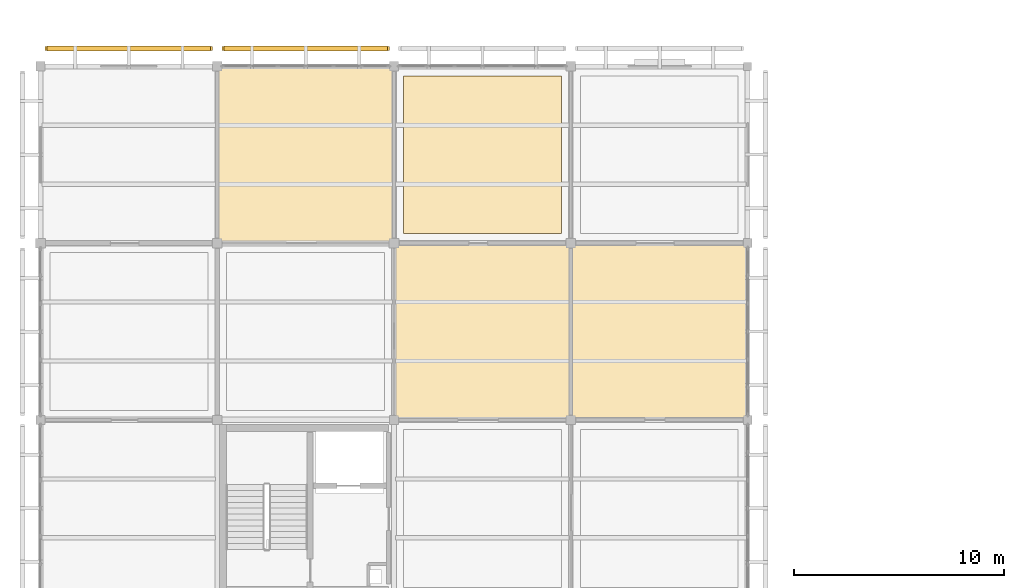
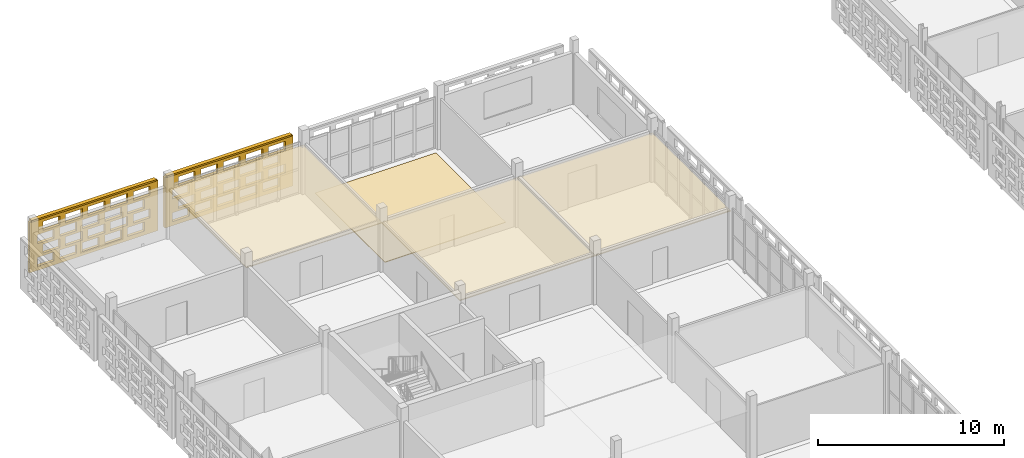
# One storey, part 113 of 140: 6 coverings, 2 shading devices, 40 openings.
"""IFC4 building model written with IfcOpenShell, lengths in metres."""

import ifcopenshell
import ifcopenshell.guid

model = None  # the IFC model being written
_history = None  # IfcOwnerHistory: only IFC2X3 demands one
_inside = {}  # id of a spatial element -> (the spatial element, [elements in it])
_under = {}  # id of a project, library or spatial element -> (it, [spatial elements below it])
_declared = {}  # id of a project -> (the project, [libraries it declares])
_typed = {}  # id of a type object -> (the type object, [elements of that type])
_made_of = {}  # id of a material, layer set ... -> (it, [elements and type objects made of it])


def new_model(schema):
    """Start an empty IFC model of exactly this schema.

    Asked for "IFC4X3", IfcOpenShell would pick the latest addendum, in which some entities
    have other attributes; the version numbers below select the first issue.
    IFC2X3 requires an IfcOwnerHistory on every rooted entity: one is made here for all.
    """
    global model, _history
    if schema == "IFC4X3":
        model = ifcopenshell.file(schema_version=(4, 3, 0, 0))
    else:
        model = ifcopenshell.file(schema=schema)
    _inside.clear()
    _under.clear()
    _declared.clear()
    _typed.clear()
    _made_of.clear()
    _history = None
    if model.schema == "IFC2X3":
        org = make("IfcOrganization", Name="unknown")
        user = make(
            "IfcPersonAndOrganization",
            ThePerson=make("IfcPerson", FamilyName="unknown"),
            TheOrganization=org,
        )
        app = make(
            "IfcApplication",
            ApplicationDeveloper=org,
            Version="unknown",
            ApplicationFullName="unknown",
            ApplicationIdentifier="unknown",
        )
        _history = make(
            "IfcOwnerHistory",
            OwningUser=user,
            OwningApplication=app,
            ChangeAction="ADDED",
            CreationDate=0,
        )
    return model


def make(cls, **values):
    """One entity of the class cls with the attributes given. An attribute that is None is left unset."""
    return model.create_entity(
        cls, **{name: value for name, value in values.items() if value is not None}
    )


def rooted(cls, **values):
    """An entity with a GlobalId (a new one), such as an element, a storey or a relation."""
    return make(cls, GlobalId=ifcopenshell.guid.new(), OwnerHistory=_history, **values)


def si_unit(unit_type, name, prefix=None):
    """IfcSIUnit, for example si_unit("LENGTHUNIT", "METRE", prefix="MILLI")."""
    return make("IfcSIUnit", UnitType=unit_type, Prefix=prefix, Name=name)


def assignment(units):
    """IfcUnitAssignment: the units of a project."""
    return None if units is None else make("IfcUnitAssignment", Units=units)


def point(xyz):
    """IfcCartesianPoint."""
    return None if xyz is None else make("IfcCartesianPoint", Coordinates=xyz)


def direction(xyz):
    """IfcDirection."""
    return None if xyz is None else make("IfcDirection", DirectionRatios=xyz)


def frame(location, z_axis=None, x_axis=None):
    """IfcAxis2Placement3D, a coordinate frame: its origin and axes. An axis left out is left unset."""
    return make(
        "IfcAxis2Placement3D",
        Location=point(location),
        Axis=direction(z_axis),
        RefDirection=direction(x_axis),
    )


def frame_2d(location, x_axis=None):
    """IfcAxis2Placement2D, a coordinate frame in the plane: its origin and x axis."""
    return make(
        "IfcAxis2Placement2D", Location=point(location), RefDirection=direction(x_axis)
    )


def origin():
    """The frame at (0, 0, 0) with its axes left unset."""
    return frame((0.0, 0.0, 0.0))


def origin_2d():
    """The frame at (0, 0) in the plane with its x axis left unset."""
    return frame_2d((0.0, 0.0))


def place(relative_to, where):
    """IfcLocalPlacement: puts the frame where relative to a parent placement (None: the world)."""
    return make(
        "IfcLocalPlacement", PlacementRelTo=relative_to, RelativePlacement=where
    )


def context(
    kind, dimensions, precision=None, world=None, true_north=None, identifier=None
):
    """IfcGeometricRepresentationContext, for example the 3D "Model" context."""
    return make(
        "IfcGeometricRepresentationContext",
        ContextIdentifier=identifier,
        ContextType=kind,
        CoordinateSpaceDimension=dimensions,
        Precision=precision,
        WorldCoordinateSystem=world,
        TrueNorth=true_north,
    )


def subcontext(parent, identifier, kind, view, scale=None):
    """IfcGeometricRepresentationSubContext, for example "Body" below "Model"."""
    return make(
        "IfcGeometricRepresentationSubContext",
        ContextIdentifier=identifier,
        ContextType=kind,
        ParentContext=parent,
        TargetScale=scale,
        TargetView=view,
    )


def project(units=None, contexts=None):
    """IfcProject with its units and contexts."""
    return rooted(
        "IfcProject",
        Name="project",
        RepresentationContexts=contexts,
        UnitsInContext=assignment(units),
    )


def spatial(cls, under=None, at=None, **own):
    """A site, building, storey or space (cls), placed at a placement, below another one or the project."""
    s = rooted(cls, ObjectPlacement=at, **own)
    if under is not None:
        _under.setdefault(under.id(), (under, []))[1].append(s)
    return s


def profile(cls, at=None, kind="AREA", **sizes):
    """A parametric profile (cls). Its sizes go by their IFC names, for example OverallWidth=200.0."""
    return make(cls, ProfileType=kind, Position=at, **sizes)


def rectangle(**sizes):
    """IfcRectangleProfileDef."""
    return profile("IfcRectangleProfileDef", **sizes)


def extrude(swept, where, along, depth):
    """IfcExtrudedAreaSolid: the profile swept, set in the frame where, extruded along a direction by depth."""
    return make(
        "IfcExtrudedAreaSolid",
        SweptArea=swept,
        Position=where,
        ExtrudedDirection=direction(along),
        Depth=depth,
    )


def shape(context_of_items, identifier, shape_type, items):
    """IfcShapeRepresentation: the items that make up one representation, for example the "Body"."""
    return make(
        "IfcShapeRepresentation",
        ContextOfItems=context_of_items,
        RepresentationIdentifier=identifier,
        RepresentationType=shape_type,
        Items=items,
    )


def material(Name=None, Category=None):
    """IfcMaterial."""
    return make("IfcMaterial", Name=Name, Category=Category)


def layer(
    of_material, thickness, ventilated=None, Name=None, Category=None, Priority=None
):
    """IfcMaterialLayer: one layer of a wall or slab, of a material (None: an air gap)."""
    return make(
        "IfcMaterialLayer",
        Material=of_material,
        LayerThickness=thickness,
        IsVentilated=ventilated,
        Name=Name,
        Category=Category,
        Priority=Priority,
    )


def layer_set(layers, Name=None):
    """IfcMaterialLayerSet."""
    return make("IfcMaterialLayerSet", MaterialLayers=layers, LayerSetName=Name)


def made_of(thing, what):
    """Note that an element or type object is made of a material, layer set ...; save() writes the relation."""
    if what is not None:
        _made_of.setdefault(what.id(), (what, []))[1].append(thing)
    return thing


def type_object(cls, material=None, **own):
    """A type object (cls), such as IfcWallType, which elements share."""
    return made_of(rooted(cls, **own), material)


def element(
    cls,
    number,
    at=None,
    inside=None,
    cuts=None,
    type_object=None,
    material=None,
    context=None,
    identifier="Body",
    shape_type=None,
    held_by="IfcProductDefinitionShape",
    body=None,
    shapes=None,
    **own,
):
    """One element of the class cls, such as IfcWall. Its Tag is "e" and its number.

    at: its placement. inside: the storey or other place that contains it. cuts: it is an
    opening in that element (IfcRelVoidsElement). A single representation is given by context,
    identifier, shape_type and body (its items); several are given by shapes. held_by: the class
    of the entity that holds the representations. save() writes the other relations.
    """
    e = rooted(cls, Tag="e%d" % number, ObjectPlacement=at, **own)
    if body is not None:
        shapes = [shape(context, identifier, shape_type, body)]
    if shapes is not None:
        e.Representation = make(held_by, Representations=shapes)
    if inside is not None:
        _inside.setdefault(inside.id(), (inside, []))[1].append(e)
    if cuts is not None:
        rooted(
            "IfcRelVoidsElement", RelatingBuildingElement=cuts, RelatedOpeningElement=e
        )
    if type_object is not None:
        _typed.setdefault(type_object.id(), (type_object, []))[1].append(e)
    return made_of(e, material)


def aggregate(whole, parts):
    """IfcRelAggregates: a whole, such as a stair, and the parts it consists of."""
    return rooted("IfcRelAggregates", RelatingObject=whole, RelatedObjects=parts)


def save(model, path):
    """Write the relations noted so far, then the file.

    IfcRelAggregates (storeys below a building ...), IfcRelContainedInSpatialStructure (elements
    in a storey), IfcRelDefinesByType, IfcRelAssociatesMaterial and IfcRelDeclares: one each for
    every whole, place, type object, material and project.
    """
    for whole, parts in _under.values():
        aggregate(whole, parts)
    for where, things in _inside.values():
        rooted(
            "IfcRelContainedInSpatialStructure",
            RelatedElements=things,
            RelatingStructure=where,
        )
    for kind, things in _typed.values():
        rooted("IfcRelDefinesByType", RelatedObjects=things, RelatingType=kind)
    for what, things in _made_of.values():
        rooted("IfcRelAssociatesMaterial", RelatedObjects=things, RelatingMaterial=what)
    for by, libraries in _declared.values():
        rooted("IfcRelDeclares", RelatingContext=by, RelatedDefinitions=libraries)
    model.write(path)


model = new_model("IFC4")

# Units and contexts
model_context = context("Model", 3, precision=1e-05, world=origin(), true_north=direction((0.0, 1.0)))
body_context = subcontext(model_context, "Body", "Model", "MODEL_VIEW")
ifc_project = project(units=[si_unit("LENGTHUNIT", "METRE"), si_unit("AREAUNIT", "SQUARE_METRE"), si_unit("VOLUMEUNIT", "CUBIC_METRE"), si_unit("PLANEANGLEUNIT", "RADIAN"), si_unit("MASSUNIT", "GRAM", prefix="KILO")], contexts=[model_context])

# Site, building, storey
site_placement = place(None, origin())
site = spatial("IfcSite", under=ifc_project, at=site_placement, CompositionType="ELEMENT")
building_placement = place(site_placement, origin())
building = spatial("IfcBuilding", under=site, at=building_placement, Name="Varnapada Polytechnic", CompositionType="ELEMENT")
storey_placement = place(building_placement, frame((0.0, 0.0, 13.800048828125)))
storey = spatial("IfcBuildingStorey", under=building, at=storey_placement, Name="L03", CompositionType="ELEMENT", Elevation=13.800048828125)

# Coverings
ifc_material_1 = material(Name="Acoustic Rubber Seminar Flooring")
ifc_layer_1 = layer(ifc_material_1, 0.0400390625)
ifc_layer_set_1 = layer_set([ifc_layer_1], Name="Acoustic Rubber Seminar Flooring")
covering_type_1 = type_object("IfcCoveringType", Name="Floor Finish FLR-06", PredefinedType="FLOORING", material=ifc_layer_set_1)
covering_1_placement = place(storey_placement, frame((21.0, 121.800048828125, 0.0), z_axis=(0.0, 0.0, 1.0), x_axis=(1.0, 0.0, 0.0)))
element("IfcCovering", 1, at=covering_1_placement, inside=storey, type_object=covering_type_1, Name="L03 floor finish panel (3,15)", PredefinedType="FLOORING", context=body_context, shape_type="SweptSolid", body=[
    extrude(rectangle(XDim=7.5, YDim=7.5, at=origin_2d()), origin(), (0.0, 0.0, 1.0), 0.0400390625),
])
ifc_material_2 = material(Name="Perforated Timber Slatted Baffle Ceiling", Category="wood")
ifc_layer_2 = layer(ifc_material_2, 0.050048828125)
ifc_layer_set_2 = layer_set([ifc_layer_2], Name="Perforated Timber Slatted Baffle Ceiling")
covering_type_2 = type_object("IfcCoveringType", Name="Suspended Ceiling CLG-02", PredefinedType="CEILING", material=ifc_layer_set_2)
covering_2_placement = place(storey_placement, frame((12.60009765625, 121.800048828125, 3.02490234375), z_axis=(0.0, 0.0, 1.0), x_axis=(1.0, 0.0, 0.0)))
element("IfcCovering", 2, at=covering_2_placement, inside=storey, type_object=covering_type_2, Name="L03 suspended acoustic ceiling (2,15)", PredefinedType="CEILING", context=body_context, shape_type="SweptSolid", body=[
    extrude(rectangle(XDim=8.419921875, YDim=8.419921875, at=origin_2d()), origin(), (0.0, 0.0, 1.0), 0.050048828125),
])
ifc_material_3 = material(Name="Deep Acoustic Auditorium Cloud Baffle")
ifc_layer_3 = layer(ifc_material_3, 0.06494140625)
ifc_layer_set_3 = layer_set([ifc_layer_3], Name="Deep Acoustic Auditorium Cloud Baffle")
covering_type_3 = type_object("IfcCoveringType", Name="Suspended Ceiling CLG-07", PredefinedType="CEILING", material=ifc_layer_set_3)
for number, where, z_axis, x_axis, name in (
    (3, (21.0, 113.39990234375, 3.017578125), (0.0, 0.0, 1.0), (1.0, 0.0, 0.0), "L03 suspended acoustic ceiling (3,14)"),
    (4, (29.39990234375, 113.39990234375, 3.017578125), (0.0, 0.0, 1.0), (1.0, 0.0, 0.0), "L03 suspended acoustic ceiling (4,14)"),
):
    element("IfcCovering", number, at=place(storey_placement, frame(where, z_axis=z_axis, x_axis=x_axis)), inside=storey, type_object=covering_type_3, Name=name, PredefinedType="CEILING", context=body_context, shape_type="SweptSolid", body=[
        extrude(rectangle(XDim=8.419921875, YDim=8.419921875, at=origin_2d()), origin(), (0.0, 0.0, 1.0), 0.06494140625),
    ])

# Covering, openings
ifc_material_4 = material(Name="Earth-toned architectural terracotta screen block", Category="masonry")
ifc_layer_4 = layer(ifc_material_4, 0.1201171875)
ifc_layer_set_4 = layer_set([ifc_layer_4], Name="Earth-toned architectural terracotta screen block")
covering_type_4 = type_object("IfcCoveringType", Name="Terracotta Screen Cladding CLD-01", PredefinedType="CLADDING", material=ifc_layer_set_4)
covering_3_placement = place(storey_placement, frame((0.219970703125, 126.85009765625, 0.0), z_axis=(0.0, 0.0, 1.0), x_axis=(1.0, 0.0, 0.0)))
covering_3 = element("IfcCovering", 5, at=covering_3_placement, inside=storey, type_object=covering_type_4, Name="L03 perforated terracotta block screen (11)", PredefinedType="CLADDING", context=body_context, shape_type="SweptSolid", body=[
    extrude(rectangle(XDim=7.9599609375, YDim=0.179931640625, at=frame_2d((3.97998046875, 0.0))), origin(), (0.0, 0.0, 1.0), 3.320068359375),
])
opening_1_placement = place(covering_3_placement, frame((0.47998046875, 0.0, 0.265625)))
element("IfcOpeningElement", 6, at=opening_1_placement, cuts=covering_3, Name="Screen perforation TBS-L03-010.1", PredefinedType="OPENING", context=body_context, shape_type="SweptSolid", body=[
    extrude(rectangle(XDim=1.0400390625, YDim=0.5810546875, at=frame_2d((0.52001953125, 0.29052734375))), frame((0.0, 0.099853515625, 0.0), z_axis=(0.0, -1.0, 0.0), x_axis=(1.0, 0.0, 0.0)), (0.0, 0.0, 1.0), 0.199951171875),
])
opening_2_placement = place(covering_3_placement, frame((1.8798828125, 0.0, 0.265625)))
element("IfcOpeningElement", 7, at=opening_2_placement, cuts=covering_3, Name="Screen perforation TBS-L03-010.2", PredefinedType="OPENING", context=body_context, shape_type="SweptSolid", body=[
    extrude(rectangle(XDim=1.0400390625, YDim=0.5810546875, at=frame_2d((0.52001953125, 0.29052734375))), frame((0.0, 0.099853515625, 0.0), z_axis=(0.0, -1.0, 0.0), x_axis=(1.0, 0.0, 0.0)), (0.0, 0.0, 1.0), 0.199951171875),
])
opening_3_placement = place(covering_3_placement, frame((3.280029296875, 0.0, 0.265625)))
element("IfcOpeningElement", 8, at=opening_3_placement, cuts=covering_3, Name="Screen perforation TBS-L03-010.3", PredefinedType="OPENING", context=body_context, shape_type="SweptSolid", body=[
    extrude(rectangle(XDim=1.0400390625, YDim=0.5810546875, at=frame_2d((0.52001953125, 0.29052734375))), frame((0.0, 0.099853515625, 0.0), z_axis=(0.0, -1.0, 0.0), x_axis=(1.0, 0.0, 0.0)), (0.0, 0.0, 1.0), 0.199951171875),
])
opening_4_placement = place(covering_3_placement, frame((4.679931640625, 0.0, 0.265625)))
element("IfcOpeningElement", 9, at=opening_4_placement, cuts=covering_3, Name="Screen perforation TBS-L03-010.4", PredefinedType="OPENING", context=body_context, shape_type="SweptSolid", body=[
    extrude(rectangle(XDim=1.0400390625, YDim=0.5810546875, at=frame_2d((0.52001953125, 0.29052734375))), frame((0.0, 0.099853515625, 0.0), z_axis=(0.0, -1.0, 0.0), x_axis=(1.0, 0.0, 0.0)), (0.0, 0.0, 1.0), 0.199951171875),
])
opening_5_placement = place(covering_3_placement, frame((6.080078125, 0.0, 0.265625)))
element("IfcOpeningElement", 10, at=opening_5_placement, cuts=covering_3, Name="Screen perforation TBS-L03-010.5", PredefinedType="OPENING", context=body_context, shape_type="SweptSolid", body=[
    extrude(rectangle(XDim=1.0400390625, YDim=0.5810546875, at=frame_2d((0.52001953125, 0.29052734375))), frame((0.0, 0.099853515625, 0.0), z_axis=(0.0, -1.0, 0.0), x_axis=(1.0, 0.0, 0.0)), (0.0, 0.0, 1.0), 0.199951171875),
])
opening_6_placement = place(covering_3_placement, frame((0.840087890625, 0.0, 1.0126953125)))
element("IfcOpeningElement", 11, at=opening_6_placement, cuts=covering_3, Name="Screen perforation TBS-L03-010.6", PredefinedType="OPENING", context=body_context, shape_type="SweptSolid", body=[
    extrude(rectangle(XDim=1.0400390625, YDim=0.5810546875, at=frame_2d((0.52001953125, 0.29052734375))), frame((0.0, 0.099853515625, 0.0), z_axis=(0.0, -1.0, 0.0), x_axis=(1.0, 0.0, 0.0)), (0.0, 0.0, 1.0), 0.199951171875),
])
opening_7_placement = place(covering_3_placement, frame((2.239990234375, 0.0, 1.0126953125)))
element("IfcOpeningElement", 12, at=opening_7_placement, cuts=covering_3, Name="Screen perforation TBS-L03-010.7", PredefinedType="OPENING", context=body_context, shape_type="SweptSolid", body=[
    extrude(rectangle(XDim=1.0400390625, YDim=0.5810546875, at=frame_2d((0.52001953125, 0.29052734375))), frame((0.0, 0.099853515625, 0.0), z_axis=(0.0, -1.0, 0.0), x_axis=(1.0, 0.0, 0.0)), (0.0, 0.0, 1.0), 0.199951171875),
])
opening_8_placement = place(covering_3_placement, frame((3.639892578125, 0.0, 1.0126953125)))
element("IfcOpeningElement", 13, at=opening_8_placement, cuts=covering_3, Name="Screen perforation TBS-L03-010.8", PredefinedType="OPENING", context=body_context, shape_type="SweptSolid", body=[
    extrude(rectangle(XDim=1.0400390625, YDim=0.5810546875, at=frame_2d((0.52001953125, 0.29052734375))), frame((0.0, 0.099853515625, 0.0), z_axis=(0.0, -1.0, 0.0), x_axis=(1.0, 0.0, 0.0)), (0.0, 0.0, 1.0), 0.199951171875),
])
opening_9_placement = place(covering_3_placement, frame((5.0400390625, 0.0, 1.0126953125)))
element("IfcOpeningElement", 14, at=opening_9_placement, cuts=covering_3, Name="Screen perforation TBS-L03-010.9", PredefinedType="OPENING", context=body_context, shape_type="SweptSolid", body=[
    extrude(rectangle(XDim=1.0400390625, YDim=0.5810546875, at=frame_2d((0.52001953125, 0.29052734375))), frame((0.0, 0.099853515625, 0.0), z_axis=(0.0, -1.0, 0.0), x_axis=(1.0, 0.0, 0.0)), (0.0, 0.0, 1.0), 0.199951171875),
])
opening_10_placement = place(covering_3_placement, frame((6.43994140625, 0.0, 1.0126953125)))
element("IfcOpeningElement", 15, at=opening_10_placement, cuts=covering_3, Name="Screen perforation TBS-L03-010.10", PredefinedType="OPENING", context=body_context, shape_type="SweptSolid", body=[
    extrude(rectangle(XDim=1.0400390625, YDim=0.5810546875, at=frame_2d((0.52001953125, 0.29052734375))), frame((0.0, 0.099853515625, 0.0), z_axis=(0.0, -1.0, 0.0), x_axis=(1.0, 0.0, 0.0)), (0.0, 0.0, 1.0), 0.199951171875),
])
opening_11_placement = place(covering_3_placement, frame((0.47998046875, 0.0, 1.759521484375)))
element("IfcOpeningElement", 16, at=opening_11_placement, cuts=covering_3, Name="Screen perforation TBS-L03-010.11", PredefinedType="OPENING", context=body_context, shape_type="SweptSolid", body=[
    extrude(rectangle(XDim=1.0400390625, YDim=0.5810546875, at=frame_2d((0.52001953125, 0.29052734375))), frame((0.0, 0.099853515625, 0.0), z_axis=(0.0, -1.0, 0.0), x_axis=(1.0, 0.0, 0.0)), (0.0, 0.0, 1.0), 0.199951171875),
])
opening_12_placement = place(covering_3_placement, frame((1.8798828125, 0.0, 1.759521484375)))
element("IfcOpeningElement", 17, at=opening_12_placement, cuts=covering_3, Name="Screen perforation TBS-L03-010.12", PredefinedType="OPENING", context=body_context, shape_type="SweptSolid", body=[
    extrude(rectangle(XDim=1.0400390625, YDim=0.5810546875, at=frame_2d((0.52001953125, 0.29052734375))), frame((0.0, 0.099853515625, 0.0), z_axis=(0.0, -1.0, 0.0), x_axis=(1.0, 0.0, 0.0)), (0.0, 0.0, 1.0), 0.199951171875),
])
opening_13_placement = place(covering_3_placement, frame((3.280029296875, 0.0, 1.759521484375)))
element("IfcOpeningElement", 18, at=opening_13_placement, cuts=covering_3, Name="Screen perforation TBS-L03-010.13", PredefinedType="OPENING", context=body_context, shape_type="SweptSolid", body=[
    extrude(rectangle(XDim=1.0400390625, YDim=0.5810546875, at=frame_2d((0.52001953125, 0.29052734375))), frame((0.0, 0.099853515625, 0.0), z_axis=(0.0, -1.0, 0.0), x_axis=(1.0, 0.0, 0.0)), (0.0, 0.0, 1.0), 0.199951171875),
])
opening_14_placement = place(covering_3_placement, frame((4.679931640625, 0.0, 1.759521484375)))
element("IfcOpeningElement", 19, at=opening_14_placement, cuts=covering_3, Name="Screen perforation TBS-L03-010.14", PredefinedType="OPENING", context=body_context, shape_type="SweptSolid", body=[
    extrude(rectangle(XDim=1.0400390625, YDim=0.5810546875, at=frame_2d((0.52001953125, 0.29052734375))), frame((0.0, 0.099853515625, 0.0), z_axis=(0.0, -1.0, 0.0), x_axis=(1.0, 0.0, 0.0)), (0.0, 0.0, 1.0), 0.199951171875),
])
opening_15_placement = place(covering_3_placement, frame((6.080078125, 0.0, 1.759521484375)))
element("IfcOpeningElement", 20, at=opening_15_placement, cuts=covering_3, Name="Screen perforation TBS-L03-010.15", PredefinedType="OPENING", context=body_context, shape_type="SweptSolid", body=[
    extrude(rectangle(XDim=1.0400390625, YDim=0.5810546875, at=frame_2d((0.52001953125, 0.29052734375))), frame((0.0, 0.099853515625, 0.0), z_axis=(0.0, -1.0, 0.0), x_axis=(1.0, 0.0, 0.0)), (0.0, 0.0, 1.0), 0.199951171875),
])
opening_16_placement = place(covering_3_placement, frame((0.840087890625, 0.0, 2.506591796875)))
element("IfcOpeningElement", 21, at=opening_16_placement, cuts=covering_3, Name="Screen perforation TBS-L03-010.16", PredefinedType="OPENING", context=body_context, shape_type="SweptSolid", body=[
    extrude(rectangle(XDim=1.0400390625, YDim=0.5810546875, at=frame_2d((0.52001953125, 0.29052734375))), frame((0.0, 0.099853515625, 0.0), z_axis=(0.0, -1.0, 0.0), x_axis=(1.0, 0.0, 0.0)), (0.0, 0.0, 1.0), 0.199951171875),
])
opening_17_placement = place(covering_3_placement, frame((2.239990234375, 0.0, 2.506591796875)))
element("IfcOpeningElement", 22, at=opening_17_placement, cuts=covering_3, Name="Screen perforation TBS-L03-010.17", PredefinedType="OPENING", context=body_context, shape_type="SweptSolid", body=[
    extrude(rectangle(XDim=1.0400390625, YDim=0.5810546875, at=frame_2d((0.52001953125, 0.29052734375))), frame((0.0, 0.099853515625, 0.0), z_axis=(0.0, -1.0, 0.0), x_axis=(1.0, 0.0, 0.0)), (0.0, 0.0, 1.0), 0.199951171875),
])
opening_18_placement = place(covering_3_placement, frame((3.639892578125, 0.0, 2.506591796875)))
element("IfcOpeningElement", 23, at=opening_18_placement, cuts=covering_3, Name="Screen perforation TBS-L03-010.18", PredefinedType="OPENING", context=body_context, shape_type="SweptSolid", body=[
    extrude(rectangle(XDim=1.0400390625, YDim=0.5810546875, at=frame_2d((0.52001953125, 0.29052734375))), frame((0.0, 0.099853515625, 0.0), z_axis=(0.0, -1.0, 0.0), x_axis=(1.0, 0.0, 0.0)), (0.0, 0.0, 1.0), 0.199951171875),
])
opening_19_placement = place(covering_3_placement, frame((5.0400390625, 0.0, 2.506591796875)))
element("IfcOpeningElement", 24, at=opening_19_placement, cuts=covering_3, Name="Screen perforation TBS-L03-010.19", PredefinedType="OPENING", context=body_context, shape_type="SweptSolid", body=[
    extrude(rectangle(XDim=1.0400390625, YDim=0.5810546875, at=frame_2d((0.52001953125, 0.29052734375))), frame((0.0, 0.099853515625, 0.0), z_axis=(0.0, -1.0, 0.0), x_axis=(1.0, 0.0, 0.0)), (0.0, 0.0, 1.0), 0.199951171875),
])
opening_20_placement = place(covering_3_placement, frame((6.43994140625, 0.0, 2.506591796875)))
element("IfcOpeningElement", 25, at=opening_20_placement, cuts=covering_3, Name="Screen perforation TBS-L03-010.20", PredefinedType="OPENING", context=body_context, shape_type="SweptSolid", body=[
    extrude(rectangle(XDim=1.0400390625, YDim=0.5810546875, at=frame_2d((0.52001953125, 0.29052734375))), frame((0.0, 0.099853515625, 0.0), z_axis=(0.0, -1.0, 0.0), x_axis=(1.0, 0.0, 0.0)), (0.0, 0.0, 1.0), 0.199951171875),
])

covering_4_placement = place(storey_placement, frame((8.6201171875, 126.85009765625, 0.0), z_axis=(0.0, 0.0, 1.0), x_axis=(1.0, 0.0, 0.0)))
covering_4 = element("IfcCovering", 26, at=covering_4_placement, inside=storey, type_object=covering_type_4, Name="L03 perforated terracotta block screen (18)", PredefinedType="CLADDING", context=body_context, shape_type="SweptSolid", body=[
    extrude(rectangle(XDim=7.9599609375, YDim=0.179931640625, at=frame_2d((3.97998046875, 0.0))), origin(), (0.0, 0.0, 1.0), 3.320068359375),
])
opening_21_placement = place(covering_4_placement, frame((0.47998046875, 0.0, 0.265625)))
element("IfcOpeningElement", 27, at=opening_21_placement, cuts=covering_4, Name="Screen perforation TBS-L03-017.1", PredefinedType="OPENING", context=body_context, shape_type="SweptSolid", body=[
    extrude(rectangle(XDim=1.0400390625, YDim=0.5810546875, at=frame_2d((0.52001953125, 0.29052734375))), frame((0.0, 0.099853515625, 0.0), z_axis=(0.0, -1.0, 0.0), x_axis=(1.0, 0.0, 0.0)), (0.0, 0.0, 1.0), 0.199951171875),
])
opening_22_placement = place(covering_4_placement, frame((1.8798828125, 0.0, 0.265625)))
element("IfcOpeningElement", 28, at=opening_22_placement, cuts=covering_4, Name="Screen perforation TBS-L03-017.2", PredefinedType="OPENING", context=body_context, shape_type="SweptSolid", body=[
    extrude(rectangle(XDim=1.0400390625, YDim=0.5810546875, at=frame_2d((0.52001953125, 0.29052734375))), frame((0.0, 0.099853515625, 0.0), z_axis=(0.0, -1.0, 0.0), x_axis=(1.0, 0.0, 0.0)), (0.0, 0.0, 1.0), 0.199951171875),
])
opening_23_placement = place(covering_4_placement, frame((3.280029296875, 0.0, 0.265625)))
element("IfcOpeningElement", 29, at=opening_23_placement, cuts=covering_4, Name="Screen perforation TBS-L03-017.3", PredefinedType="OPENING", context=body_context, shape_type="SweptSolid", body=[
    extrude(rectangle(XDim=1.0400390625, YDim=0.5810546875, at=frame_2d((0.52001953125, 0.29052734375))), frame((0.0, 0.099853515625, 0.0), z_axis=(0.0, -1.0, 0.0), x_axis=(1.0, 0.0, 0.0)), (0.0, 0.0, 1.0), 0.199951171875),
])
opening_24_placement = place(covering_4_placement, frame((4.679931640625, 0.0, 0.265625)))
element("IfcOpeningElement", 30, at=opening_24_placement, cuts=covering_4, Name="Screen perforation TBS-L03-017.4", PredefinedType="OPENING", context=body_context, shape_type="SweptSolid", body=[
    extrude(rectangle(XDim=1.0400390625, YDim=0.5810546875, at=frame_2d((0.52001953125, 0.29052734375))), frame((0.0, 0.099853515625, 0.0), z_axis=(0.0, -1.0, 0.0), x_axis=(1.0, 0.0, 0.0)), (0.0, 0.0, 1.0), 0.199951171875),
])
opening_25_placement = place(covering_4_placement, frame((6.080078125, 0.0, 0.265625)))
element("IfcOpeningElement", 31, at=opening_25_placement, cuts=covering_4, Name="Screen perforation TBS-L03-017.5", PredefinedType="OPENING", context=body_context, shape_type="SweptSolid", body=[
    extrude(rectangle(XDim=1.0400390625, YDim=0.5810546875, at=frame_2d((0.52001953125, 0.29052734375))), frame((0.0, 0.099853515625, 0.0), z_axis=(0.0, -1.0, 0.0), x_axis=(1.0, 0.0, 0.0)), (0.0, 0.0, 1.0), 0.199951171875),
])
opening_26_placement = place(covering_4_placement, frame((0.840087890625, 0.0, 1.0126953125)))
element("IfcOpeningElement", 32, at=opening_26_placement, cuts=covering_4, Name="Screen perforation TBS-L03-017.6", PredefinedType="OPENING", context=body_context, shape_type="SweptSolid", body=[
    extrude(rectangle(XDim=1.0400390625, YDim=0.5810546875, at=frame_2d((0.52001953125, 0.29052734375))), frame((0.0, 0.099853515625, 0.0), z_axis=(0.0, -1.0, 0.0), x_axis=(1.0, 0.0, 0.0)), (0.0, 0.0, 1.0), 0.199951171875),
])
opening_27_placement = place(covering_4_placement, frame((2.239990234375, 0.0, 1.0126953125)))
element("IfcOpeningElement", 33, at=opening_27_placement, cuts=covering_4, Name="Screen perforation TBS-L03-017.7", PredefinedType="OPENING", context=body_context, shape_type="SweptSolid", body=[
    extrude(rectangle(XDim=1.0400390625, YDim=0.5810546875, at=frame_2d((0.52001953125, 0.29052734375))), frame((0.0, 0.099853515625, 0.0), z_axis=(0.0, -1.0, 0.0), x_axis=(1.0, 0.0, 0.0)), (0.0, 0.0, 1.0), 0.199951171875),
])
opening_28_placement = place(covering_4_placement, frame((3.639892578125, 0.0, 1.0126953125)))
element("IfcOpeningElement", 34, at=opening_28_placement, cuts=covering_4, Name="Screen perforation TBS-L03-017.8", PredefinedType="OPENING", context=body_context, shape_type="SweptSolid", body=[
    extrude(rectangle(XDim=1.0400390625, YDim=0.5810546875, at=frame_2d((0.52001953125, 0.29052734375))), frame((0.0, 0.099853515625, 0.0), z_axis=(0.0, -1.0, 0.0), x_axis=(1.0, 0.0, 0.0)), (0.0, 0.0, 1.0), 0.199951171875),
])
opening_29_placement = place(covering_4_placement, frame((5.0400390625, 0.0, 1.0126953125)))
element("IfcOpeningElement", 35, at=opening_29_placement, cuts=covering_4, Name="Screen perforation TBS-L03-017.9", PredefinedType="OPENING", context=body_context, shape_type="SweptSolid", body=[
    extrude(rectangle(XDim=1.0400390625, YDim=0.5810546875, at=frame_2d((0.52001953125, 0.29052734375))), frame((0.0, 0.099853515625, 0.0), z_axis=(0.0, -1.0, 0.0), x_axis=(1.0, 0.0, 0.0)), (0.0, 0.0, 1.0), 0.199951171875),
])
opening_30_placement = place(covering_4_placement, frame((6.43994140625, 0.0, 1.0126953125)))
element("IfcOpeningElement", 36, at=opening_30_placement, cuts=covering_4, Name="Screen perforation TBS-L03-017.10", PredefinedType="OPENING", context=body_context, shape_type="SweptSolid", body=[
    extrude(rectangle(XDim=1.0400390625, YDim=0.5810546875, at=frame_2d((0.52001953125, 0.29052734375))), frame((0.0, 0.099853515625, 0.0), z_axis=(0.0, -1.0, 0.0), x_axis=(1.0, 0.0, 0.0)), (0.0, 0.0, 1.0), 0.199951171875),
])
opening_31_placement = place(covering_4_placement, frame((0.47998046875, 0.0, 1.759521484375)))
element("IfcOpeningElement", 37, at=opening_31_placement, cuts=covering_4, Name="Screen perforation TBS-L03-017.11", PredefinedType="OPENING", context=body_context, shape_type="SweptSolid", body=[
    extrude(rectangle(XDim=1.0400390625, YDim=0.5810546875, at=frame_2d((0.52001953125, 0.29052734375))), frame((0.0, 0.099853515625, 0.0), z_axis=(0.0, -1.0, 0.0), x_axis=(1.0, 0.0, 0.0)), (0.0, 0.0, 1.0), 0.199951171875),
])
opening_32_placement = place(covering_4_placement, frame((1.8798828125, 0.0, 1.759521484375)))
element("IfcOpeningElement", 38, at=opening_32_placement, cuts=covering_4, Name="Screen perforation TBS-L03-017.12", PredefinedType="OPENING", context=body_context, shape_type="SweptSolid", body=[
    extrude(rectangle(XDim=1.0400390625, YDim=0.5810546875, at=frame_2d((0.52001953125, 0.29052734375))), frame((0.0, 0.099853515625, 0.0), z_axis=(0.0, -1.0, 0.0), x_axis=(1.0, 0.0, 0.0)), (0.0, 0.0, 1.0), 0.199951171875),
])
opening_33_placement = place(covering_4_placement, frame((3.280029296875, 0.0, 1.759521484375)))
element("IfcOpeningElement", 39, at=opening_33_placement, cuts=covering_4, Name="Screen perforation TBS-L03-017.13", PredefinedType="OPENING", context=body_context, shape_type="SweptSolid", body=[
    extrude(rectangle(XDim=1.0400390625, YDim=0.5810546875, at=frame_2d((0.52001953125, 0.29052734375))), frame((0.0, 0.099853515625, 0.0), z_axis=(0.0, -1.0, 0.0), x_axis=(1.0, 0.0, 0.0)), (0.0, 0.0, 1.0), 0.199951171875),
])
opening_34_placement = place(covering_4_placement, frame((4.679931640625, 0.0, 1.759521484375)))
element("IfcOpeningElement", 40, at=opening_34_placement, cuts=covering_4, Name="Screen perforation TBS-L03-017.14", PredefinedType="OPENING", context=body_context, shape_type="SweptSolid", body=[
    extrude(rectangle(XDim=1.0400390625, YDim=0.5810546875, at=frame_2d((0.52001953125, 0.29052734375))), frame((0.0, 0.099853515625, 0.0), z_axis=(0.0, -1.0, 0.0), x_axis=(1.0, 0.0, 0.0)), (0.0, 0.0, 1.0), 0.199951171875),
])
opening_35_placement = place(covering_4_placement, frame((6.080078125, 0.0, 1.759521484375)))
element("IfcOpeningElement", 41, at=opening_35_placement, cuts=covering_4, Name="Screen perforation TBS-L03-017.15", PredefinedType="OPENING", context=body_context, shape_type="SweptSolid", body=[
    extrude(rectangle(XDim=1.0400390625, YDim=0.5810546875, at=frame_2d((0.52001953125, 0.29052734375))), frame((0.0, 0.099853515625, 0.0), z_axis=(0.0, -1.0, 0.0), x_axis=(1.0, 0.0, 0.0)), (0.0, 0.0, 1.0), 0.199951171875),
])
opening_36_placement = place(covering_4_placement, frame((0.840087890625, 0.0, 2.506591796875)))
element("IfcOpeningElement", 42, at=opening_36_placement, cuts=covering_4, Name="Screen perforation TBS-L03-017.16", PredefinedType="OPENING", context=body_context, shape_type="SweptSolid", body=[
    extrude(rectangle(XDim=1.0400390625, YDim=0.5810546875, at=frame_2d((0.52001953125, 0.29052734375))), frame((0.0, 0.099853515625, 0.0), z_axis=(0.0, -1.0, 0.0), x_axis=(1.0, 0.0, 0.0)), (0.0, 0.0, 1.0), 0.199951171875),
])
opening_37_placement = place(covering_4_placement, frame((2.239990234375, 0.0, 2.506591796875)))
element("IfcOpeningElement", 43, at=opening_37_placement, cuts=covering_4, Name="Screen perforation TBS-L03-017.17", PredefinedType="OPENING", context=body_context, shape_type="SweptSolid", body=[
    extrude(rectangle(XDim=1.0400390625, YDim=0.5810546875, at=frame_2d((0.52001953125, 0.29052734375))), frame((0.0, 0.099853515625, 0.0), z_axis=(0.0, -1.0, 0.0), x_axis=(1.0, 0.0, 0.0)), (0.0, 0.0, 1.0), 0.199951171875),
])
opening_38_placement = place(covering_4_placement, frame((3.639892578125, 0.0, 2.506591796875)))
element("IfcOpeningElement", 44, at=opening_38_placement, cuts=covering_4, Name="Screen perforation TBS-L03-017.18", PredefinedType="OPENING", context=body_context, shape_type="SweptSolid", body=[
    extrude(rectangle(XDim=1.0400390625, YDim=0.5810546875, at=frame_2d((0.52001953125, 0.29052734375))), frame((0.0, 0.099853515625, 0.0), z_axis=(0.0, -1.0, 0.0), x_axis=(1.0, 0.0, 0.0)), (0.0, 0.0, 1.0), 0.199951171875),
])
opening_39_placement = place(covering_4_placement, frame((5.0400390625, 0.0, 2.506591796875)))
element("IfcOpeningElement", 45, at=opening_39_placement, cuts=covering_4, Name="Screen perforation TBS-L03-017.19", PredefinedType="OPENING", context=body_context, shape_type="SweptSolid", body=[
    extrude(rectangle(XDim=1.0400390625, YDim=0.5810546875, at=frame_2d((0.52001953125, 0.29052734375))), frame((0.0, 0.099853515625, 0.0), z_axis=(0.0, -1.0, 0.0), x_axis=(1.0, 0.0, 0.0)), (0.0, 0.0, 1.0), 0.199951171875),
])
opening_40_placement = place(covering_4_placement, frame((6.43994140625, 0.0, 2.506591796875)))
element("IfcOpeningElement", 46, at=opening_40_placement, cuts=covering_4, Name="Screen perforation TBS-L03-017.20", PredefinedType="OPENING", context=body_context, shape_type="SweptSolid", body=[
    extrude(rectangle(XDim=1.0400390625, YDim=0.5810546875, at=frame_2d((0.52001953125, 0.29052734375))), frame((0.0, 0.099853515625, 0.0), z_axis=(0.0, -1.0, 0.0), x_axis=(1.0, 0.0, 0.0)), (0.0, 0.0, 1.0), 0.199951171875),
])

# Shading devices
ifc_layer_5 = layer(ifc_material_4, 0.179931640625)
ifc_layer_set_5 = layer_set([ifc_layer_5], Name="Earth-toned architectural terracotta screen block")
shading_device_type = type_object("IfcShadingDeviceType", Name="Terracotta Screen SCR-01", PredefinedType="USERDEFINED", material=ifc_layer_set_5)
for number, where, z_axis, x_axis, name in (
    (47, (4.199951171875, 126.85009765625, 3.309814453125), (0.0, 0.0, 1.0), (1.0, 0.0, 0.0), "L03 perforated terracotta screen hood 346"),
    (48, (12.60009765625, 126.85009765625, 3.309814453125), (0.0, 0.0, 1.0), (1.0, 0.0, 0.0), "L03 perforated terracotta screen hood 353"),
):
    element("IfcShadingDevice", number, at=place(storey_placement, frame(where, z_axis=z_axis, x_axis=x_axis)), inside=storey, type_object=shading_device_type, Name=name, ObjectType="SCREEN", PredefinedType="USERDEFINED", context=body_context, shape_type="SweptSolid", body=[
        extrude(rectangle(XDim=7.760009765625, YDim=0.239990234375, at=origin_2d()), origin(), (0.0, 0.0, 1.0), 0.10009765625),
    ])

save(model, "model.ifc")
